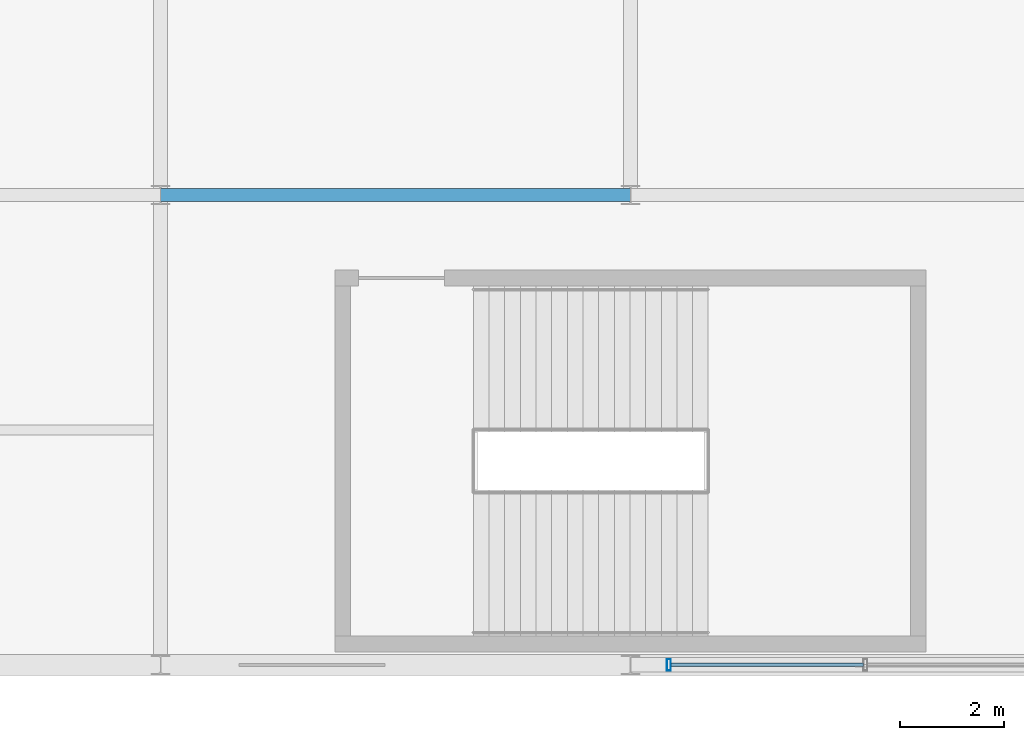
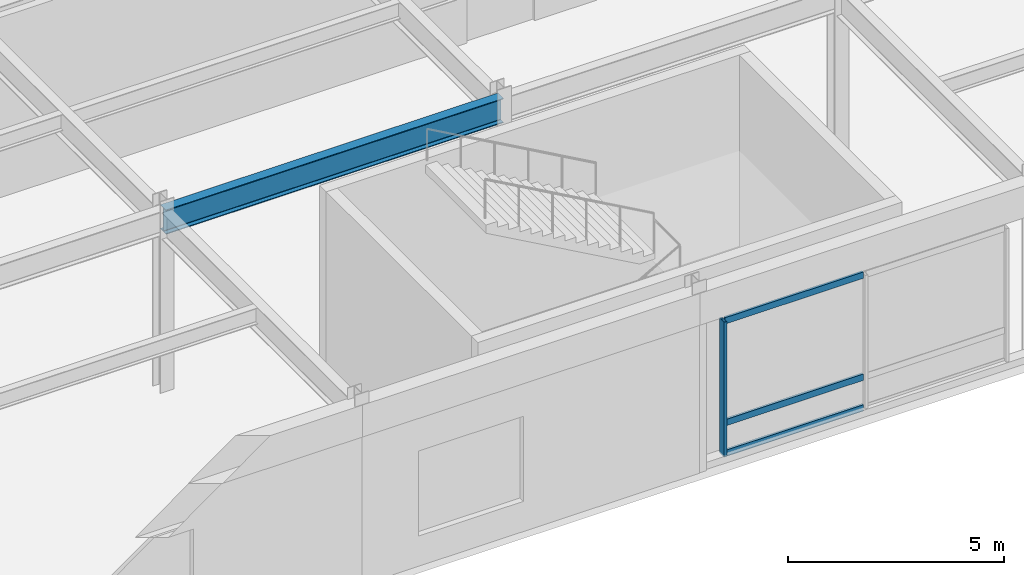
# One storey, part 40 of 100: 4 members, 1 beam, 1 element without a shape of its own.
"""IFC4 building model written with IfcOpenShell, lengths in metres."""

from ifc_helpers import new_model, si_unit, direction, frame, origin, origin_2d, place, context, subcontext, project, spatial, hollow_rectangle, i_section, extrude, material, material_profile, profile_set, type_object, element, aggregate, save


model = new_model("IFC4")

# Units and contexts
model_context = context("Model", 3, precision=1e-05, world=origin(), true_north=direction((0.0, 1.0)))
body_context = subcontext(model_context, "Body", "Model", "MODEL_VIEW")
ifc_project = project(units=[si_unit("LENGTHUNIT", "METRE"), si_unit("AREAUNIT", "SQUARE_METRE"), si_unit("VOLUMEUNIT", "CUBIC_METRE"), si_unit("PLANEANGLEUNIT", "RADIAN"), si_unit("MASSUNIT", "GRAM", prefix="KILO")], contexts=[model_context])

# Site, building, storey
site_placement = place(None, origin())
site = spatial("IfcSite", under=ifc_project, at=site_placement, CompositionType="ELEMENT")
building_placement = place(site_placement, origin())
building = spatial("IfcBuilding", under=site, at=building_placement, Name="Kaldorvane Square Convention Centre", CompositionType="ELEMENT")
storey_placement = place(building_placement, frame((0.0, 0.0, 18.0)))
storey = spatial("IfcBuildingStorey", under=building, at=storey_placement, Name="L03", CompositionType="ELEMENT", Elevation=18.0)

# Beam
ifc_material_1 = material(Name="Steel ASTM A992 Gr. 50", Category="steel")
ifc_material_profile_1 = material_profile(ifc_material_1, i_section(OverallWidth=0.25439453125, OverallDepth=0.6880950927734375, WebThickness=0.0131072998046875, FlangeThickness=0.0211029052734375, FilletRadius=0.01519775390625, at=origin_2d()), Name="W27X102")
ifc_profile_set_1 = profile_set([ifc_material_profile_1], Name="Steel ASTM A992 Gr. 50")
beam_type = type_object("IfcBeamType", Name="BM-GR-W27X102", PredefinedType="BEAM", material=ifc_profile_set_1)
beam_placement = place(storey_placement, frame((147.0, 9.0, 4.731903076171875), z_axis=(1.0, 0.0, 0.0), x_axis=(0.0, 1.0, 0.0)))
element("IfcBeam", 1, at=beam_placement, inside=storey, type_object=beam_type, Name="Primary Girder (L03)", PredefinedType="BEAM", context=body_context, shape_type="SweptSolid", body=[
    extrude(i_section(OverallWidth=0.25439453125, OverallDepth=0.6880950927734375, WebThickness=0.0131072998046875, FlangeThickness=0.0211029052734375, FilletRadius=0.01519775390625, at=origin_2d()), origin(), (0.0, 0.0, 1.0), 9.0),
])

# Curtain wall, members
ifc_material_2 = material(Name="Anodized Aluminum and Low-E Insulated Glazing", Category="aluminium")
curtain_wall_type = type_object("IfcCurtainWallType", Name="CW-UNI-P54-12", PredefinedType="USERDEFINED", material=ifc_material_2)
curtain_wall_placement = place(storey_placement, origin())
curtain_wall = element("IfcCurtainWall", 2, at=curtain_wall_placement, inside=storey, type_object=curtain_wall_type, Name="Curtain Wall CW-03 (L03)", ObjectType="UNITISED GLAZING", PredefinedType="USERDEFINED")
ifc_material_profile_2 = material_profile(ifc_material_2, hollow_rectangle(XDim=0.0749969482421875, YDim=0.220001220703125, WallThickness=0.003997802734375, at=origin_2d()), Name="CWM-220X75")
ifc_profile_set_2 = profile_set([ifc_material_profile_2], Name="Anodized Aluminum and Low-E Insulated Glazing")
member_type_1 = type_object("IfcMemberType", Name="CW-MUL-220", PredefinedType="MULLION", material=ifc_profile_set_2)
member_1_placement = place(storey_placement, frame((156.7375030517578, 0.0, 0.149993896484375), z_axis=(0.0, 0.0, 1.0), x_axis=(1.0, 0.0, 0.0)))
member_1 = element("IfcMember", 3, at=member_1_placement, type_object=member_type_1, Name="CW-03 mullion 1", PredefinedType="MULLION", context=body_context, shape_type="SweptSolid", body=[
    extrude(hollow_rectangle(XDim=0.0749969482421875, YDim=0.220001220703125, WallThickness=0.003997802734375, at=origin_2d()), origin(), (0.0, 0.0, 1.0), 3.8100128173828125),
])
ifc_material_profile_3 = material_profile(ifc_material_2, hollow_rectangle(XDim=0.06500244140625, YDim=0.17999267578125, WallThickness=0.0034942626953125, at=origin_2d()), Name="CWT-180X65")
ifc_profile_set_3 = profile_set([ifc_material_profile_3], Name="Anodized Aluminum and Low-E Insulated Glazing")
member_type_2 = type_object("IfcMemberType", Name="CW-TRN-180", PredefinedType="USERDEFINED", material=ifc_profile_set_3)
member_2_placement = place(storey_placement, frame((156.77499389648438, 0.0, 0.1824951171875), z_axis=(1.0, 0.0, 0.0), x_axis=(0.0, 1.0, 0.0)))
member_2 = element("IfcMember", 4, at=member_2_placement, type_object=member_type_2, Name="CW-03 transom 1.1", ObjectType="TRANSOM", PredefinedType="USERDEFINED", context=body_context, shape_type="SweptSolid", body=[
    extrude(hollow_rectangle(XDim=0.06500244140625, YDim=0.17999267578125, WallThickness=0.0034942626953125, at=origin_2d()), origin(), (0.0, 0.0, 1.0), 3.6875),
])
member_3_placement = place(storey_placement, frame((156.77499389648438, 0.0, 1.0500030517578125), z_axis=(1.0, 0.0, 0.0), x_axis=(0.0, 1.0, 0.0)))
member_3 = element("IfcMember", 5, at=member_3_placement, type_object=member_type_2, Name="CW-03 transom 1.2", ObjectType="TRANSOM", PredefinedType="USERDEFINED", context=body_context, shape_type="SweptSolid", body=[
    extrude(hollow_rectangle(XDim=0.06500244140625, YDim=0.17999267578125, WallThickness=0.0034942626953125, at=origin_2d()), origin(), (0.0, 0.0, 1.0), 3.6875),
])
member_4_placement = place(storey_placement, frame((156.77499389648438, 0.0, 3.9275054931640625), z_axis=(1.0, 0.0, 0.0), x_axis=(0.0, 1.0, 0.0)))
member_4 = element("IfcMember", 6, at=member_4_placement, type_object=member_type_2, Name="CW-03 transom 1.3", ObjectType="TRANSOM", PredefinedType="USERDEFINED", context=body_context, shape_type="SweptSolid", body=[
    extrude(hollow_rectangle(XDim=0.06500244140625, YDim=0.17999267578125, WallThickness=0.0034942626953125, at=origin_2d()), origin(), (0.0, 0.0, 1.0), 3.6875),
])
aggregate(curtain_wall, [member_1, member_2, member_3, member_4])

save(model, "model.ifc")
